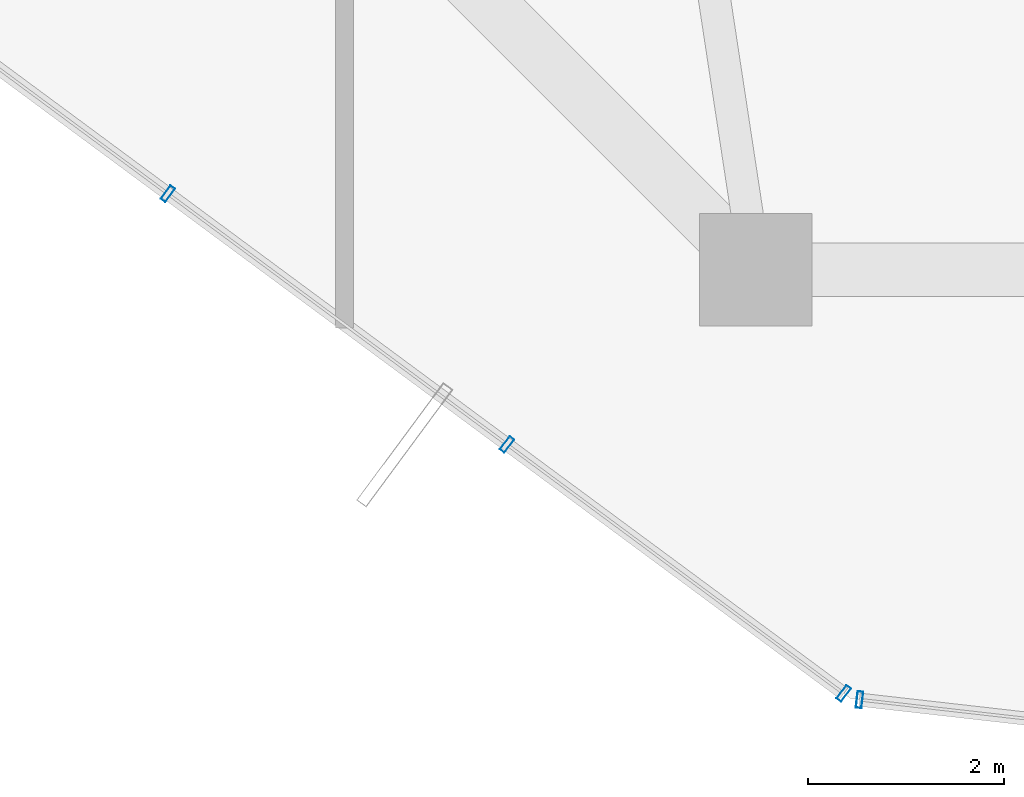
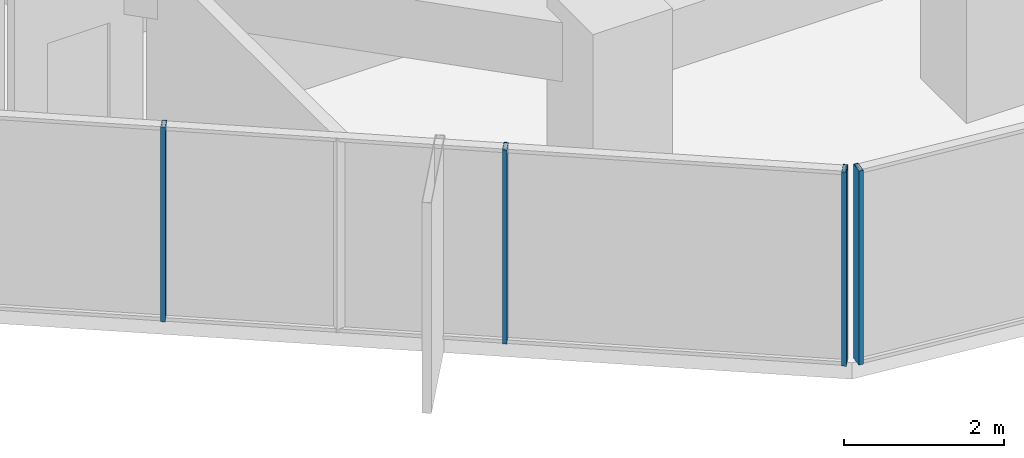
# One storey, part 2 of 29: 4 members, 2 elements without a shape of their own.
"""IFC4 building model written with IfcOpenShell, lengths in metres."""

from ifc_helpers import new_model, si_unit, direction, frame, origin, origin_2d, place, context, subcontext, project, spatial, hollow_rectangle, extrude, source, transform, mapped, material, layer, layer_set, material_profile, profile_set, type_object, element, aggregate, save


model = new_model("IFC4")

# Units and contexts
model_context = context("Model", 3, precision=1e-05, world=origin(), true_north=direction((0.0, 1.0)))
body_context = subcontext(model_context, "Body", "Model", "MODEL_VIEW")
ifc_project = project(units=[si_unit("LENGTHUNIT", "METRE"), si_unit("AREAUNIT", "SQUARE_METRE"), si_unit("VOLUMEUNIT", "CUBIC_METRE"), si_unit("PLANEANGLEUNIT", "RADIAN"), si_unit("MASSUNIT", "GRAM", prefix="KILO")], contexts=[model_context])

# Site, building, storey
site_placement = place(None, origin())
site = spatial("IfcSite", under=ifc_project, at=site_placement, CompositionType="ELEMENT")
building_placement = place(site_placement, origin())
building = spatial("IfcBuilding", under=site, at=building_placement, Name="Veraguas Prism Commons", CompositionType="ELEMENT")
storey_placement = place(building_placement, frame((0.0, 0.0, 105.699951171875)))
storey = spatial("IfcBuildingStorey", under=building, at=storey_placement, Name="L29", CompositionType="ELEMENT", Elevation=105.699951171875)

# Curtain wall, members
ifc_material = material(Name="Anodised aluminium EN AW-6063 T6", Category="aluminium")
ifc_layer = layer(ifc_material, 0.169921875, Name="Unitised Flush Curtain Wall Zone 2", Category="aluminium")
ifc_layer_set = layer_set([ifc_layer], Name="Anodised aluminium EN AW-6063 T6")
curtain_wall_type = type_object("IfcCurtainWallType", Name="Unitised Flush Curtain Wall Zone 2", PredefinedType="NOTDEFINED", material=ifc_layer_set)
curtain_wall_1_placement = place(storey_placement, origin())
curtain_wall_1 = element("IfcCurtainWall", 1, at=curtain_wall_1_placement, inside=storey, type_object=curtain_wall_type, Name="Tower Facade Curtain Wall L29-F4", PredefinedType="NOTDEFINED")
ifc_material_profile = material_profile(ifc_material, hollow_rectangle(XDim=0.06005859375, YDim=0.169921875, WallThickness=0.00390625, at=origin_2d()), Name="AL60X170X4")
ifc_profile_set = profile_set([ifc_material_profile], Name="Anodised aluminium EN AW-6063 T6")
member_type = type_object("IfcMemberType", Name="Curtain Wall Mullion Lower AL 60x170x4", PredefinedType="MULLION", material=ifc_profile_set)
shared_shape = source(origin(), body_context, "Body", "SweptSolid", [
    extrude(hollow_rectangle(XDim=0.06005859375, YDim=0.169921875, WallThickness=0.00390625, at=origin_2d()), origin(), (0.0, 0.0, 1.0), 2.969970703125),
])
member_1_placement = place(storey_placement, frame((12.59521484375, 8.576171875, 0.0), z_axis=(0.0, 0.0, 1.0), x_axis=(0.804067556966, -0.59453794146, 0.0)))
member_1 = element("IfcMember", 2, at=member_1_placement, type_object=member_type, Name="CW-Z2 Mullion 3", PredefinedType="MULLION", context=body_context, shape_type="MappedRepresentation", body=[
    mapped(shared_shape, transform((0.0, 0.0, 0.0), scale=1.0)),
])
member_2_placement = place(storey_placement, frame((16.0595703125, 6.014404296875, 0.0), z_axis=(0.0, 0.0, 1.0), x_axis=(0.804067556966, -0.59453794146, 0.0)))
member_2 = element("IfcMember", 3, at=member_2_placement, type_object=member_type, Name="CW-Z2 Mullion 4", PredefinedType="MULLION", context=body_context, shape_type="MappedRepresentation", body=[
    mapped(shared_shape, transform((0.0, 0.0, 0.0), scale=1.0)),
])
member_3_placement = place(storey_placement, frame((19.5, 3.470703125, 0.0), z_axis=(0.0, 0.0, 1.0), x_axis=(0.804067556966, -0.59453794146, 0.0)))
member_3 = element("IfcMember", 4, at=member_3_placement, type_object=member_type, Name="CW-Z2 Mullion 5", PredefinedType="MULLION", context=body_context, shape_type="MappedRepresentation", body=[
    mapped(shared_shape, transform((0.0, 0.0, 0.0), scale=1.0)),
])
aggregate(curtain_wall_1, [member_1, member_2, member_3])

# Curtain wall, member
curtain_wall_2_placement = place(storey_placement, origin())
curtain_wall_2 = element("IfcCurtainWall", 5, at=curtain_wall_2_placement, inside=storey, type_object=curtain_wall_type, Name="Chamfer Curtain Wall L29-C5", PredefinedType="NOTDEFINED")
member_4_placement = place(storey_placement, frame((19.66162109375, 3.406982421875, 0.0), z_axis=(0.0, 0.0, 1.0), x_axis=(0.993613280084, -0.112839043067, 0.0)))
member_4 = element("IfcMember", 6, at=member_4_placement, type_object=member_type, Name="CW-Z2 Mullion 1", PredefinedType="MULLION", context=body_context, shape_type="MappedRepresentation", body=[
    mapped(shared_shape, transform((0.0, 0.0, 0.0), scale=1.0)),
])
aggregate(curtain_wall_2, [member_4])

save(model, "model.ifc")
